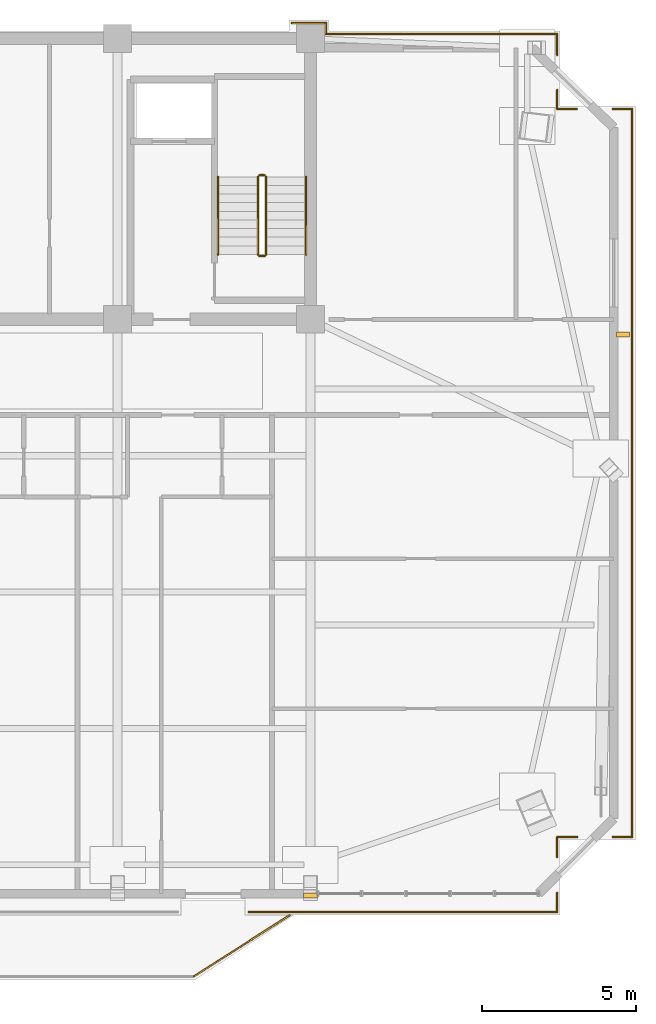
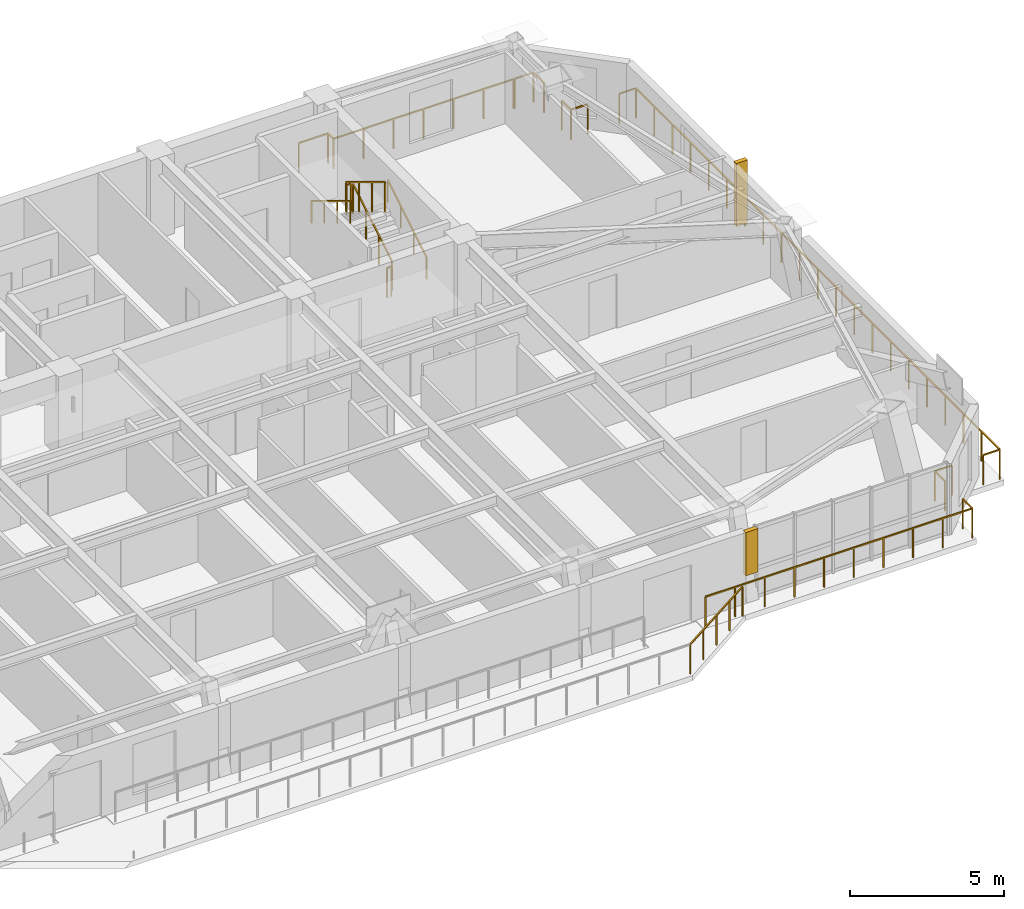
# One storey, part 15 of 15: 21 railings, 1 covering, 1 shading device.
"""IFC4 building model written with IfcOpenShell, lengths in metres."""

from ifc_helpers import new_model, si_unit, direction, frame, origin, origin_2d, place, context, subcontext, project, spatial, polyline, rectangle, outline, extrude, source, transform, mapped, material, layer, layer_set, type_object, element, save


model = new_model("IFC4")

# Units and contexts
model_context = context("Model", 3, precision=1e-05, world=origin(), true_north=direction((0.0, 1.0)))
body_context = subcontext(model_context, "Body", "Model", "MODEL_VIEW")
ifc_project = project(units=[si_unit("LENGTHUNIT", "METRE"), si_unit("AREAUNIT", "SQUARE_METRE"), si_unit("VOLUMEUNIT", "CUBIC_METRE"), si_unit("PLANEANGLEUNIT", "RADIAN"), si_unit("MASSUNIT", "GRAM", prefix="KILO")], contexts=[model_context])

# Site, building, storey
site_placement = place(None, origin())
site = spatial("IfcSite", under=ifc_project, at=site_placement, CompositionType="ELEMENT")
building_placement = place(site_placement, origin())
building = spatial("IfcBuilding", under=site, at=building_placement, Name="Giltprow Tower", CompositionType="ELEMENT")
storey_placement = place(building_placement, frame((0.0, 0.0, 300.60009765625)))
storey = spatial("IfcBuildingStorey", under=building, at=storey_placement, Name="L77", CompositionType="ELEMENT", Elevation=300.60009765625)

# Covering
ifc_material = material(Name="Anodized bronze", Category="metal")
ifc_layer = layer(ifc_material, 0.0400390625, Name="Anodized bronze")
ifc_layer_set = layer_set([ifc_layer], Name="Anodized bronze")
covering_type = type_object("IfcCoveringType", Name="COV-SOFFIT-BRONZE", PredefinedType="CLADDING", material=ifc_layer_set)
covering_placement = place(storey_placement, frame((0.0, 0.0, 1.099853515625)))
element("IfcCovering", 1, at=covering_placement, inside=storey, type_object=covering_type, Name="L77 Setback Pier Closure Cladding S-5", PredefinedType="CLADDING", context=body_context, shape_type="SweptSolid", body=[
    extrude(outline(polyline([(50.324951171875, 18.700927734375), (50.77490234375, 18.700927734375), (50.77490234375, 18.861083984375), (50.324951171875, 18.861083984375), (50.324951171875, 18.700927734375)])), origin(), (0.0, 0.0, 1.0), 1.715087890625),
])

# Railings
railing_type_1 = type_object("IfcRailingType", Name="RAIL-BALC-GUARD-1200", PredefinedType="BALUSTRADE", material=ifc_material)
railing_1_placement = place(storey_placement, frame((46.780029296875, 16.160888671875, 0.0)))
element("IfcRailing", 2, at=railing_1_placement, inside=storey, type_object=railing_type_1, Name="L77 Waterfront Balcony Balustrade Seg 3", PredefinedType="BALUSTRADE", context=body_context, shape_type="SweptSolid", body=[
    extrude(rectangle(XDim=0.048095703125, YDim=0.048095703125, at=origin_2d()), frame((0.0, 0.0, 1.17578125), z_axis=(0.842725534991, 0.538343452336, 0.0), x_axis=(-0.538343452336, 0.842725534991, 0.0)), (0.0, 0.0, 1.0), 3.678466796875),
    extrude(rectangle(XDim=0.0419921875, YDim=0.0419921875, at=origin_2d()), origin(), (0.0, 0.0, 1.0), 1.15185546875),
    extrude(rectangle(XDim=0.0419921875, YDim=0.0419921875, at=origin_2d()), frame((0.77490234375, 0.4951171875, 0.0)), (0.0, 0.0, 1.0), 1.15185546875),
    extrude(rectangle(XDim=0.0419921875, YDim=0.0419921875, at=origin_2d()), frame((1.5498046875, 0.990234375, 0.0)), (0.0, 0.0, 1.0), 1.15185546875),
    extrude(rectangle(XDim=0.0419921875, YDim=0.0419921875, at=origin_2d()), frame((2.324951171875, 1.485107421875, 0.0)), (0.0, 0.0, 1.0), 1.15185546875),
    extrude(rectangle(XDim=0.0419921875, YDim=0.0419921875, at=origin_2d()), frame((3.099853515625, 1.980224609375, 0.0)), (0.0, 0.0, 1.0), 1.15185546875),
])
railing_2_placement = place(storey_placement, frame((60.97607421875, 44.27001953125, 0.0)))
element("IfcRailing", 3, at=railing_2_placement, inside=storey, type_object=railing_type_1, Name="L77 Corner Apron Edge Balustrade 1", PredefinedType="BALUSTRADE", context=body_context, shape_type="SweptSolid", body=[
    extrude(rectangle(XDim=0.048095703125, YDim=0.048095703125, at=origin_2d()), frame((0.0, 0.0, 1.17578125), z_axis=(0.0, -1.0, 0.0), x_axis=(1.0, 0.0, 0.0)), (0.0, 0.0, 1.0), 23.597900390625),
    extrude(rectangle(XDim=0.0419921875, YDim=0.0419921875, at=origin_2d()), origin(), (0.0, 0.0, 1.0), 1.15185546875),
    extrude(rectangle(XDim=0.0419921875, YDim=0.0419921875, at=origin_2d()), frame((0.0, -1.179931640625, 0.0)), (0.0, 0.0, 1.0), 1.15185546875),
    extrude(rectangle(XDim=0.0419921875, YDim=0.0419921875, at=origin_2d()), frame((0.0, -2.35986328125, 0.0)), (0.0, 0.0, 1.0), 1.15185546875),
    extrude(rectangle(XDim=0.0419921875, YDim=0.0419921875, at=origin_2d()), frame((0.0, -3.539794921875, 0.0)), (0.0, 0.0, 1.0), 1.15185546875),
    extrude(rectangle(XDim=0.0419921875, YDim=0.0419921875, at=origin_2d()), frame((0.0, -4.719482421875, 0.0)), (0.0, 0.0, 1.0), 1.15185546875),
    extrude(rectangle(XDim=0.0419921875, YDim=0.0419921875, at=origin_2d()), frame((0.0, -5.8994140625, 0.0)), (0.0, 0.0, 1.0), 1.15185546875),
    extrude(rectangle(XDim=0.0419921875, YDim=0.0419921875, at=origin_2d()), frame((0.0, -7.079345703125, 0.0)), (0.0, 0.0, 1.0), 1.15185546875),
    extrude(rectangle(XDim=0.0419921875, YDim=0.0419921875, at=origin_2d()), frame((0.0, -8.25927734375, 0.0)), (0.0, 0.0, 1.0), 1.15185546875),
    extrude(rectangle(XDim=0.0419921875, YDim=0.0419921875, at=origin_2d()), frame((0.0, -9.439208984375, 0.0)), (0.0, 0.0, 1.0), 1.15185546875),
    extrude(rectangle(XDim=0.0419921875, YDim=0.0419921875, at=origin_2d()), frame((0.0, -10.619140625, 0.0)), (0.0, 0.0, 1.0), 1.15185546875),
    extrude(rectangle(XDim=0.0419921875, YDim=0.0419921875, at=origin_2d()), frame((0.0, -11.798828125, 0.0)), (0.0, 0.0, 1.0), 1.15185546875),
    extrude(rectangle(XDim=0.0419921875, YDim=0.0419921875, at=origin_2d()), frame((0.0, -12.978759765625, 0.0)), (0.0, 0.0, 1.0), 1.15185546875),
    extrude(rectangle(XDim=0.0419921875, YDim=0.0419921875, at=origin_2d()), frame((0.0, -14.15869140625, 0.0)), (0.0, 0.0, 1.0), 1.15185546875),
    extrude(rectangle(XDim=0.0419921875, YDim=0.0419921875, at=origin_2d()), frame((0.0, -15.338623046875, 0.0)), (0.0, 0.0, 1.0), 1.15185546875),
    extrude(rectangle(XDim=0.0419921875, YDim=0.0419921875, at=origin_2d()), frame((0.0, -16.5185546875, 0.0)), (0.0, 0.0, 1.0), 1.15185546875),
    extrude(rectangle(XDim=0.0419921875, YDim=0.0419921875, at=origin_2d()), frame((0.0, -17.698486328125, 0.0)), (0.0, 0.0, 1.0), 1.15185546875),
    extrude(rectangle(XDim=0.0419921875, YDim=0.0419921875, at=origin_2d()), frame((0.0, -18.87841796875, 0.0)), (0.0, 0.0, 1.0), 1.15185546875),
    extrude(rectangle(XDim=0.0419921875, YDim=0.0419921875, at=origin_2d()), frame((0.0, -20.05810546875, 0.0)), (0.0, 0.0, 1.0), 1.15185546875),
    extrude(rectangle(XDim=0.0419921875, YDim=0.0419921875, at=origin_2d()), frame((0.0, -21.238037109375, 0.0)), (0.0, 0.0, 1.0), 1.15185546875),
    extrude(rectangle(XDim=0.0419921875, YDim=0.0419921875, at=origin_2d()), frame((0.0, -22.41796875, 0.0)), (0.0, 0.0, 1.0), 1.15185546875),
    extrude(rectangle(XDim=0.0419921875, YDim=0.0419921875, at=origin_2d()), frame((0.0, -23.597900390625, 0.0)), (0.0, 0.0, 1.0), 1.15185546875),
])
railing_3_placement = place(storey_placement, frame((60.97607421875, 20.672119140625, 0.0)))
element("IfcRailing", 4, at=railing_3_placement, inside=storey, type_object=railing_type_1, Name="L77 Corner Apron Edge Balustrade 2", PredefinedType="BALUSTRADE", context=body_context, shape_type="SweptSolid", body=[
    extrude(rectangle(XDim=0.048095703125, YDim=0.048095703125, at=origin_2d()), frame((0.0, 0.0, 1.17578125), z_axis=(-1.0, 0.0, 0.0), x_axis=(0.0, -1.0, 0.0)), (0.0, 0.0, 1.0), 0.6201171875),
    extrude(rectangle(XDim=0.0419921875, YDim=0.0419921875, at=origin_2d()), origin(), (0.0, 0.0, 1.0), 1.15185546875),
    extrude(rectangle(XDim=0.0419921875, YDim=0.0419921875, at=origin_2d()), frame((-0.6201171875, 0.0, 0.0)), (0.0, 0.0, 1.0), 1.15185546875),
])
railing_4_placement = place(storey_placement, frame((59.196044921875, 20.672119140625, 0.0)))
element("IfcRailing", 5, at=railing_4_placement, inside=storey, type_object=railing_type_1, Name="L77 Corner Apron Edge Balustrade 3", PredefinedType="BALUSTRADE", context=body_context, shape_type="SweptSolid", body=[
    extrude(rectangle(XDim=0.048095703125, YDim=0.048095703125, at=origin_2d()), frame((0.0, 0.0, 1.17578125), z_axis=(-1.0, 0.0, 0.0), x_axis=(0.0, -1.0, 0.0)), (0.0, 0.0, 1.0), 0.651123046875),
    extrude(rectangle(XDim=0.0419921875, YDim=0.0419921875, at=origin_2d()), origin(), (0.0, 0.0, 1.0), 1.15185546875),
    extrude(rectangle(XDim=0.0419921875, YDim=0.0419921875, at=origin_2d()), frame((-0.651123046875, 0.0, 0.0)), (0.0, 0.0, 1.0), 1.15185546875),
])
railing_5_placement = place(storey_placement, frame((58.544921875, 20.672119140625, 0.0)))
element("IfcRailing", 6, at=railing_5_placement, inside=storey, type_object=railing_type_1, Name="L77 Corner Apron Edge Balustrade 4", PredefinedType="BALUSTRADE", context=body_context, shape_type="SweptSolid", body=[
    extrude(rectangle(XDim=0.048095703125, YDim=0.048095703125, at=origin_2d()), frame((0.0, 0.0, 1.17578125), z_axis=(0.0, -1.0, 0.0), x_axis=(1.0, 0.0, 0.0)), (0.0, 0.0, 1.0), 0.651123046875),
    extrude(rectangle(XDim=0.0419921875, YDim=0.0419921875, at=origin_2d()), origin(), (0.0, 0.0, 1.0), 1.15185546875),
    extrude(rectangle(XDim=0.0419921875, YDim=0.0419921875, at=origin_2d()), frame((0.0, -0.651123046875, 0.0)), (0.0, 0.0, 1.0), 1.15185546875),
])
railing_6_placement = place(storey_placement, frame((58.544921875, 18.861083984375, 0.0)))
element("IfcRailing", 7, at=railing_6_placement, inside=storey, type_object=railing_type_1, Name="L77 Corner Apron Edge Balustrade 5", PredefinedType="BALUSTRADE", context=body_context, shape_type="SweptSolid", body=[
    extrude(rectangle(XDim=0.048095703125, YDim=0.048095703125, at=origin_2d()), frame((0.0, 0.0, 1.17578125), z_axis=(0.0, -1.0, 0.0), x_axis=(1.0, 0.0, 0.0)), (0.0, 0.0, 1.0), 0.6201171875),
    extrude(rectangle(XDim=0.0419921875, YDim=0.0419921875, at=origin_2d()), origin(), (0.0, 0.0, 1.0), 1.15185546875),
    extrude(rectangle(XDim=0.0419921875, YDim=0.0419921875, at=origin_2d()), frame((0.0, -0.6201171875, 0.0)), (0.0, 0.0, 1.0), 1.15185546875),
])
railing_7_placement = place(storey_placement, frame((58.544921875, 18.240966796875, 0.0)))
element("IfcRailing", 8, at=railing_7_placement, inside=storey, type_object=railing_type_1, Name="L77 Corner Apron Edge Balustrade 6", PredefinedType="BALUSTRADE", context=body_context, shape_type="SweptSolid", body=[
    extrude(rectangle(XDim=0.048095703125, YDim=0.048095703125, at=origin_2d()), frame((0.0, 0.0, 1.17578125), z_axis=(-1.0, 0.0, 0.0), x_axis=(0.0, -1.0, 0.0)), (0.0, 0.0, 1.0), 9.994873046875),
    extrude(rectangle(XDim=0.0419921875, YDim=0.0419921875, at=origin_2d()), origin(), (0.0, 0.0, 1.0), 1.15185546875),
    extrude(rectangle(XDim=0.0419921875, YDim=0.0419921875, at=origin_2d()), frame((-1.110595703125, 0.0, 0.0)), (0.0, 0.0, 1.0), 1.15185546875),
    extrude(rectangle(XDim=0.0419921875, YDim=0.0419921875, at=origin_2d()), frame((-2.22119140625, 0.0, 0.0)), (0.0, 0.0, 1.0), 1.15185546875),
    extrude(rectangle(XDim=0.0419921875, YDim=0.0419921875, at=origin_2d()), frame((-3.33154296875, 0.0, 0.0)), (0.0, 0.0, 1.0), 1.15185546875),
    extrude(rectangle(XDim=0.0419921875, YDim=0.0419921875, at=origin_2d()), frame((-4.442138671875, 0.0, 0.0)), (0.0, 0.0, 1.0), 1.15185546875),
    extrude(rectangle(XDim=0.0419921875, YDim=0.0419921875, at=origin_2d()), frame((-5.552734375, 0.0, 0.0)), (0.0, 0.0, 1.0), 1.15185546875),
    extrude(rectangle(XDim=0.0419921875, YDim=0.0419921875, at=origin_2d()), frame((-6.663330078125, 0.0, 0.0)), (0.0, 0.0, 1.0), 1.15185546875),
    extrude(rectangle(XDim=0.0419921875, YDim=0.0419921875, at=origin_2d()), frame((-7.773681640625, 0.0, 0.0)), (0.0, 0.0, 1.0), 1.15185546875),
    extrude(rectangle(XDim=0.0419921875, YDim=0.0419921875, at=origin_2d()), frame((-8.88427734375, 0.0, 0.0)), (0.0, 0.0, 1.0), 1.15185546875),
    extrude(rectangle(XDim=0.0419921875, YDim=0.0419921875, at=origin_2d()), frame((-9.994873046875, 0.0, 0.0)), (0.0, 0.0, 1.0), 1.15185546875),
])
railing_8_placement = place(storey_placement, frame((49.949951171875, 47.050048828125, 0.0)))
element("IfcRailing", 9, at=railing_8_placement, inside=storey, type_object=railing_type_1, Name="L77 Corner Apron Edge Balustrade 22", PredefinedType="BALUSTRADE", context=body_context, shape_type="SweptSolid", body=[
    extrude(rectangle(XDim=0.048095703125, YDim=0.048095703125, at=origin_2d()), frame((0.0, 0.0, 1.17578125), z_axis=(1.0, 0.0, 0.0), x_axis=(0.0, 1.0, 0.0)), (0.0, 0.0, 1.0), 1.10009765625),
    extrude(rectangle(XDim=0.0419921875, YDim=0.0419921875, at=origin_2d()), origin(), (0.0, 0.0, 1.0), 1.15185546875),
    extrude(rectangle(XDim=0.0419921875, YDim=0.0419921875, at=origin_2d()), frame((1.10009765625, 0.0, 0.0)), (0.0, 0.0, 1.0), 1.15185546875),
])
railing_9_placement = place(storey_placement, frame((51.050048828125, 47.050048828125, 0.0)))
element("IfcRailing", 10, at=railing_9_placement, inside=storey, type_object=railing_type_1, Name="L77 Corner Apron Edge Balustrade 23", PredefinedType="BALUSTRADE", context=body_context, shape_type="SweptSolid", body=[
    extrude(rectangle(XDim=0.048095703125, YDim=0.048095703125, at=origin_2d()), frame((0.0, 0.0, 1.17578125), z_axis=(0.0, -1.0, 0.0), x_axis=(1.0, 0.0, 0.0)), (0.0, 0.0, 1.0), 0.35009765625),
    extrude(rectangle(XDim=0.0419921875, YDim=0.0419921875, at=origin_2d()), origin(), (0.0, 0.0, 1.0), 1.15185546875),
    extrude(rectangle(XDim=0.0419921875, YDim=0.0419921875, at=origin_2d()), frame((0.0, -0.35009765625, 0.0)), (0.0, 0.0, 1.0), 1.15185546875),
])
railing_10_placement = place(storey_placement, frame((51.050048828125, 46.699951171875, 0.0)))
element("IfcRailing", 11, at=railing_10_placement, inside=storey, type_object=railing_type_1, Name="L77 Corner Apron Edge Balustrade 24", PredefinedType="BALUSTRADE", context=body_context, shape_type="SweptSolid", body=[
    extrude(rectangle(XDim=0.048095703125, YDim=0.048095703125, at=origin_2d()), frame((0.0, 0.0, 1.17578125), z_axis=(1.0, 0.0, 0.0), x_axis=(0.0, 1.0, 0.0)), (0.0, 0.0, 1.0), 6.744873046875),
    extrude(rectangle(XDim=0.0419921875, YDim=0.0419921875, at=origin_2d()), origin(), (0.0, 0.0, 1.0), 1.15185546875),
    extrude(rectangle(XDim=0.0419921875, YDim=0.0419921875, at=origin_2d()), frame((1.1240234375, 0.0, 0.0)), (0.0, 0.0, 1.0), 1.15185546875),
    extrude(rectangle(XDim=0.0419921875, YDim=0.0419921875, at=origin_2d()), frame((2.248291015625, 0.0, 0.0)), (0.0, 0.0, 1.0), 1.15185546875),
    extrude(rectangle(XDim=0.0419921875, YDim=0.0419921875, at=origin_2d()), frame((3.37255859375, 0.0, 0.0)), (0.0, 0.0, 1.0), 1.15185546875),
    extrude(rectangle(XDim=0.0419921875, YDim=0.0419921875, at=origin_2d()), frame((4.49658203125, 0.0, 0.0)), (0.0, 0.0, 1.0), 1.15185546875),
    extrude(rectangle(XDim=0.0419921875, YDim=0.0419921875, at=origin_2d()), frame((5.62060546875, 0.0, 0.0)), (0.0, 0.0, 1.0), 1.15185546875),
    extrude(rectangle(XDim=0.0419921875, YDim=0.0419921875, at=origin_2d()), frame((6.744873046875, 0.0, 0.0)), (0.0, 0.0, 1.0), 1.15185546875),
])
railing_11_placement = place(storey_placement, frame((57.844970703125, 46.699951171875, 0.0)))
element("IfcRailing", 12, at=railing_11_placement, inside=storey, type_object=railing_type_1, Name="L77 Corner Apron Edge Balustrade 25", PredefinedType="BALUSTRADE", context=body_context, shape_type="SweptSolid", body=[
    extrude(rectangle(XDim=0.048095703125, YDim=0.048095703125, at=origin_2d()), frame((0.0, 0.0, 1.17578125), z_axis=(1.0, 0.0, 0.0), x_axis=(0.0, 1.0, 0.0)), (0.0, 0.0, 1.0), 0.699951171875),
    extrude(rectangle(XDim=0.0419921875, YDim=0.0419921875, at=origin_2d()), origin(), (0.0, 0.0, 1.0), 1.15185546875),
    extrude(rectangle(XDim=0.0419921875, YDim=0.0419921875, at=origin_2d()), frame((0.699951171875, 0.0, 0.0)), (0.0, 0.0, 1.0), 1.15185546875),
])
railing_12_placement = place(storey_placement, frame((58.544921875, 46.699951171875, 0.0)))
element("IfcRailing", 13, at=railing_12_placement, inside=storey, type_object=railing_type_1, Name="L77 Corner Apron Edge Balustrade 26", PredefinedType="BALUSTRADE", context=body_context, shape_type="SweptSolid", body=[
    extrude(rectangle(XDim=0.048095703125, YDim=0.048095703125, at=origin_2d()), frame((0.0, 0.0, 1.17578125), z_axis=(0.0, -1.0, 0.0), x_axis=(1.0, 0.0, 0.0)), (0.0, 0.0, 1.0), 0.679931640625),
    extrude(rectangle(XDim=0.0419921875, YDim=0.0419921875, at=origin_2d()), origin(), (0.0, 0.0, 1.0), 1.15185546875),
    extrude(rectangle(XDim=0.0419921875, YDim=0.0419921875, at=origin_2d()), frame((0.0, -0.679931640625, 0.0)), (0.0, 0.0, 1.0), 1.15185546875),
])
railing_13_placement = place(storey_placement, frame((58.544921875, 44.876953125, 0.0)))
element("IfcRailing", 14, at=railing_13_placement, inside=storey, type_object=railing_type_1, Name="L77 Corner Apron Edge Balustrade 27", PredefinedType="BALUSTRADE", context=body_context, shape_type="SweptSolid", body=[
    extrude(rectangle(XDim=0.048095703125, YDim=0.048095703125, at=origin_2d()), frame((0.0, 0.0, 1.17578125), z_axis=(0.0, -1.0, 0.0), x_axis=(1.0, 0.0, 0.0)), (0.0, 0.0, 1.0), 0.60693359375),
    extrude(rectangle(XDim=0.0419921875, YDim=0.0419921875, at=origin_2d()), origin(), (0.0, 0.0, 1.0), 1.15185546875),
    extrude(rectangle(XDim=0.0419921875, YDim=0.0419921875, at=origin_2d()), frame((0.0, -0.60693359375, 0.0)), (0.0, 0.0, 1.0), 1.15185546875),
])
railing_14_placement = place(storey_placement, frame((58.544921875, 44.27001953125, 0.0)))
element("IfcRailing", 15, at=railing_14_placement, inside=storey, type_object=railing_type_1, Name="L77 Corner Apron Edge Balustrade 28", PredefinedType="BALUSTRADE", context=body_context, shape_type="SweptSolid", body=[
    extrude(rectangle(XDim=0.048095703125, YDim=0.048095703125, at=origin_2d()), frame((0.0, 0.0, 1.17578125), z_axis=(1.0, 0.0, 0.0), x_axis=(0.0, 1.0, 0.0)), (0.0, 0.0, 1.0), 0.6240234375),
    extrude(rectangle(XDim=0.0419921875, YDim=0.0419921875, at=origin_2d()), origin(), (0.0, 0.0, 1.0), 1.15185546875),
    extrude(rectangle(XDim=0.0419921875, YDim=0.0419921875, at=origin_2d()), frame((0.6240234375, 0.0, 0.0)), (0.0, 0.0, 1.0), 1.15185546875),
])
railing_15_placement = place(storey_placement, frame((60.345947265625, 44.27001953125, 0.0)))
element("IfcRailing", 16, at=railing_15_placement, inside=storey, type_object=railing_type_1, Name="L77 Corner Apron Edge Balustrade 29", PredefinedType="BALUSTRADE", context=body_context, shape_type="SweptSolid", body=[
    extrude(rectangle(XDim=0.048095703125, YDim=0.048095703125, at=origin_2d()), frame((0.0, 0.0, 1.17578125), z_axis=(1.0, 0.0, 0.0), x_axis=(0.0, 1.0, 0.0)), (0.0, 0.0, 1.0), 0.630126953125),
    extrude(rectangle(XDim=0.0419921875, YDim=0.0419921875, at=origin_2d()), origin(), (0.0, 0.0, 1.0), 1.15185546875),
    extrude(rectangle(XDim=0.0419921875, YDim=0.0419921875, at=origin_2d()), frame((0.630126953125, 0.0, 0.0)), (0.0, 0.0, 1.0), 1.15185546875),
])
railing_type_2 = type_object("IfcRailingType", Name="RAIL-STAIR-GUARD-1200", PredefinedType="GUARDRAIL", material=ifc_material)
railing_16_placement = place(storey_placement, frame((49.110107421875, 39.550048828125, 0.169921875)))
element("IfcRailing", 17, at=railing_16_placement, inside=storey, type_object=railing_type_2, Name="L77 ST-3 stair guard 1", PredefinedType="GUARDRAIL", context=body_context, shape_type="SweptSolid", body=[
    extrude(rectangle(XDim=0.048095703125, YDim=0.048095703125, at=origin_2d()), frame((0.0, 0.0, 1.17578125), z_axis=(0.0, 0.85478489116, 0.518982456201), x_axis=(-1.0, 0.0, 0.0)), (0.0, 0.0, 1.0), 2.9482421875),
    extrude(rectangle(XDim=0.0419921875, YDim=0.0419921875, at=origin_2d()), origin(), (0.0, 0.0, 1.0), 1.15185546875),
    extrude(rectangle(XDim=0.0419921875, YDim=0.0419921875, at=origin_2d()), frame((0.0, 0.840087890625, 0.510009765625)), (0.0, 0.0, 1.0), 1.15185546875),
    extrude(rectangle(XDim=0.0419921875, YDim=0.0419921875, at=origin_2d()), frame((0.0, 1.679931640625, 1.02001953125)), (0.0, 0.0, 1.0), 1.15185546875),
    extrude(rectangle(XDim=0.0419921875, YDim=0.0419921875, at=origin_2d()), frame((0.0, 2.52001953125, 1.530029296875)), (0.0, 0.0, 1.0), 1.15185546875),
])
railing_17_placement = place(storey_placement, frame((49.06005859375, 42.1201171875, 1.699951171875)))
element("IfcRailing", 18, at=railing_17_placement, inside=storey, type_object=railing_type_2, Name="L77 ST-3 stair guard 2", PredefinedType="GUARDRAIL", context=body_context, shape_type="SweptSolid", body=[
    extrude(rectangle(XDim=0.048095703125, YDim=0.048095703125, at=origin_2d()), frame((0.0, 0.0, 1.17578125), z_axis=(-1.0, 0.0, 0.0), x_axis=(0.0, -1.0, 0.0)), (0.0, 0.0, 1.0), 0.16015625),
    extrude(rectangle(XDim=0.0419921875, YDim=0.0419921875, at=origin_2d()), origin(), (0.0, 0.0, 1.0), 1.15185546875),
    extrude(rectangle(XDim=0.0419921875, YDim=0.0419921875, at=origin_2d()), frame((-0.16015625, 0.0, 0.0)), (0.0, 0.0, 1.0), 1.15185546875),
])
railing_18_placement = place(storey_placement, frame((48.85009765625, 42.070068359375, 1.869873046875)))
element("IfcRailing", 19, at=railing_18_placement, inside=storey, type_object=railing_type_2, Name="L77 ST-3 stair guard 3", PredefinedType="GUARDRAIL", context=body_context, shape_type="SweptSolid", body=[
    extrude(rectangle(XDim=0.048095703125, YDim=0.048095703125, at=origin_2d()), frame((0.0, 0.0, 1.17578125), z_axis=(0.0, -0.85478489116, 0.518982456201), x_axis=(1.0, 0.0, 0.0)), (0.0, 0.0, 1.0), 2.9482421875),
    extrude(rectangle(XDim=0.0419921875, YDim=0.0419921875, at=origin_2d()), origin(), (0.0, 0.0, 1.0), 1.15185546875),
    extrude(rectangle(XDim=0.0419921875, YDim=0.0419921875, at=origin_2d()), frame((0.0, -0.840087890625, 0.510009765625)), (0.0, 0.0, 1.0), 1.15185546875),
    extrude(rectangle(XDim=0.0419921875, YDim=0.0419921875, at=origin_2d()), frame((0.0, -1.679931640625, 1.02001953125)), (0.0, 0.0, 1.0), 1.15185546875),
    extrude(rectangle(XDim=0.0419921875, YDim=0.0419921875, at=origin_2d()), frame((0.0, -2.52001953125, 1.530029296875)), (0.0, 0.0, 1.0), 1.15185546875),
])
railing_19_placement = place(storey_placement, frame((49.06005859375, 39.5, 0.0)))
element("IfcRailing", 20, at=railing_19_placement, inside=storey, type_object=railing_type_2, Name="L77 ST-3 stair guard 4", PredefinedType="GUARDRAIL", context=body_context, shape_type="SweptSolid", body=[
    extrude(rectangle(XDim=0.048095703125, YDim=0.048095703125, at=origin_2d()), frame((0.0, 0.0, 1.17578125), z_axis=(-1.0, 0.0, 0.0), x_axis=(0.0, -1.0, 0.0)), (0.0, 0.0, 1.0), 0.16015625),
    extrude(rectangle(XDim=0.0419921875, YDim=0.0419921875, at=origin_2d()), origin(), (0.0, 0.0, 1.0), 1.15185546875),
    extrude(rectangle(XDim=0.0419921875, YDim=0.0419921875, at=origin_2d()), frame((-0.16015625, 0.0, 0.0)), (0.0, 0.0, 1.0), 1.15185546875),
])
railing_type_3 = type_object("IfcRailingType", Name="RAIL-STAIR-HAND-900", PredefinedType="HANDRAIL", material=ifc_material)
railing_20_placement = place(storey_placement, frame((50.409912109375, 39.550048828125, 0.169921875)))
element("IfcRailing", 21, at=railing_20_placement, inside=storey, type_object=railing_type_3, Name="L77 ST-3 stair handrail 1", PredefinedType="HANDRAIL", context=body_context, shape_type="SweptSolid", body=[
    extrude(rectangle(XDim=0.048095703125, YDim=0.048095703125, at=origin_2d()), frame((0.0, 0.0, 0.8759765625), z_axis=(0.0, 0.85478489116, 0.518982456201), x_axis=(-1.0, 0.0, 0.0)), (0.0, 0.0, 1.0), 2.9482421875),
    extrude(rectangle(XDim=0.0419921875, YDim=0.0419921875, at=origin_2d()), origin(), (0.0, 0.0, 1.0), 0.851806640625),
    extrude(rectangle(XDim=0.0419921875, YDim=0.0419921875, at=origin_2d()), frame((0.0, 0.840087890625, 0.510009765625)), (0.0, 0.0, 1.0), 0.851806640625),
    extrude(rectangle(XDim=0.0419921875, YDim=0.0419921875, at=origin_2d()), frame((0.0, 1.679931640625, 1.02001953125)), (0.0, 0.0, 1.0), 0.851806640625),
    extrude(rectangle(XDim=0.0419921875, YDim=0.0419921875, at=origin_2d()), frame((0.0, 2.52001953125, 1.530029296875)), (0.0, 0.0, 1.0), 0.851806640625),
])
railing_21_placement = place(storey_placement, frame((47.550048828125, 42.070068359375, 1.869873046875)))
element("IfcRailing", 22, at=railing_21_placement, inside=storey, type_object=railing_type_3, Name="L77 ST-3 stair handrail 2", PredefinedType="HANDRAIL", context=body_context, shape_type="SweptSolid", body=[
    extrude(rectangle(XDim=0.048095703125, YDim=0.048095703125, at=origin_2d()), frame((0.0, 0.0, 0.8759765625), z_axis=(0.0, -0.85478489116, 0.518982456201), x_axis=(1.0, 0.0, 0.0)), (0.0, 0.0, 1.0), 2.9482421875),
    extrude(rectangle(XDim=0.0419921875, YDim=0.0419921875, at=origin_2d()), origin(), (0.0, 0.0, 1.0), 0.851806640625),
    extrude(rectangle(XDim=0.0419921875, YDim=0.0419921875, at=origin_2d()), frame((0.0, -0.840087890625, 0.510009765625)), (0.0, 0.0, 1.0), 0.851806640625),
    extrude(rectangle(XDim=0.0419921875, YDim=0.0419921875, at=origin_2d()), frame((0.0, -1.679931640625, 1.02001953125)), (0.0, 0.0, 1.0), 0.851806640625),
    extrude(rectangle(XDim=0.0419921875, YDim=0.0419921875, at=origin_2d()), frame((0.0, -2.52001953125, 1.530029296875)), (0.0, 0.0, 1.0), 0.851806640625),
])

# Shading device
shading_device_type = type_object("IfcShadingDeviceType", Name="SHD-FIN-420", PredefinedType="USERDEFINED", material=ifc_material)
shared_shape = source(origin(), body_context, "Body", "SweptSolid", [
    extrude(rectangle(XDim=0.419921875, YDim=0.159912109375, at=origin_2d()), origin(), (0.0, 0.0, 1.0), 2.5),
])
shading_device_placement = place(storey_placement, frame((60.676025390625, 36.9619140625, 0.349853515625), z_axis=(0.0, 0.0, 1.0), x_axis=(1.0, 0.0, 0.0)))
element("IfcShadingDevice", 23, at=shading_device_placement, inside=storey, type_object=shading_device_type, Name="L77 E Bronze Vertical Fin 2-1", ObjectType="FIN", PredefinedType="USERDEFINED", context=body_context, shape_type="MappedRepresentation", body=[
    mapped(shared_shape, transform((0.0, 0.0, 0.0), x_axis=(1.0, 0.0, 0.0), y_axis=(0.0, 1.0, 0.0), z_axis=(0.0, 0.0, 1.0), scale=1.0)),
])

save(model, "model.ifc")
